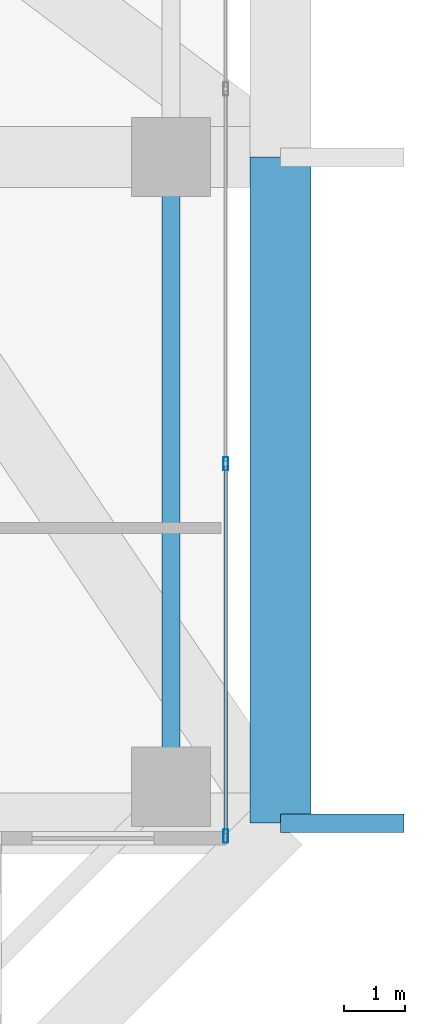
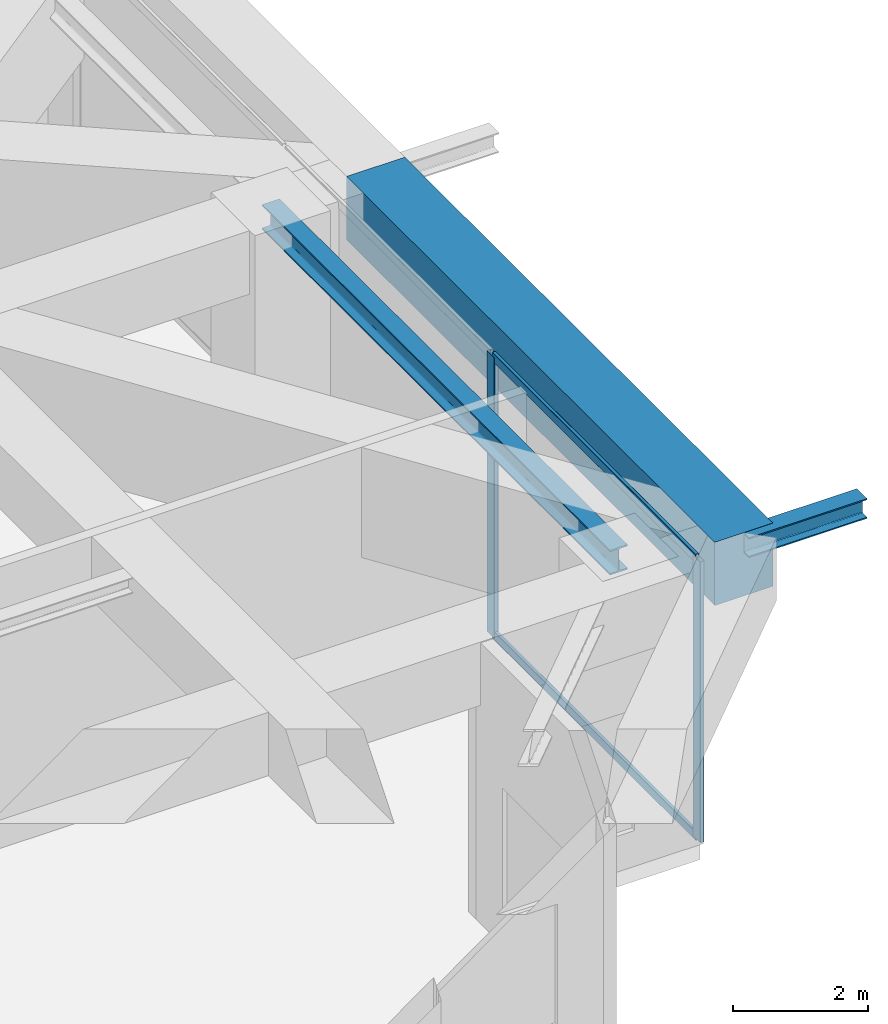
# One storey, part 13 of 38: 4 members, 3 beams, 1 element without a shape of its own.
"""IFC4 building model written with IfcOpenShell, lengths in metres."""

from ifc_helpers import new_model, si_unit, direction, frame, origin, origin_2d, place, context, subcontext, project, spatial, rectangle, hollow_rectangle, i_section, extrude, source, transform, mapped, material, layer, layer_set, material_profile, profile_set, type_object, element, aggregate, save


model = new_model("IFC4")

# Units and contexts
model_context = context("Model", 3, precision=1e-05, world=origin(), true_north=direction((0.0, 1.0)))
body_context = subcontext(model_context, "Body", "Model", "MODEL_VIEW")
ifc_project = project(units=[si_unit("LENGTHUNIT", "METRE"), si_unit("AREAUNIT", "SQUARE_METRE"), si_unit("VOLUMEUNIT", "CUBIC_METRE"), si_unit("PLANEANGLEUNIT", "RADIAN"), si_unit("MASSUNIT", "GRAM", prefix="KILO")], contexts=[model_context])

# Site, building, storey
site_placement = place(None, origin())
site = spatial("IfcSite", under=ifc_project, at=site_placement, CompositionType="ELEMENT")
building_placement = place(site_placement, origin())
building = spatial("IfcBuilding", under=site, at=building_placement, Name="Serunith Strait Residences", CompositionType="ELEMENT")
storey_placement = place(building_placement, frame((0.0, 0.0, 204.89990234375)))
storey = spatial("IfcBuildingStorey", under=building, at=storey_placement, Name="L51", CompositionType="ELEMENT", Elevation=204.89990234375)

# Beams
ifc_material_1 = material(Name="Steel S355J2", Category="steel")
ifc_material_profile_1 = material_profile(ifc_material_1, i_section(OverallWidth=0.300048828125, OverallDepth=0.360107421875, WebThickness=0.012451171875, FlangeThickness=0.0224609375, FilletRadius=0.027099609375, at=origin_2d()), Name="HEB 360")
ifc_profile_set_1 = profile_set([ifc_material_profile_1], Name="Steel S355J2")
beam_type_1 = type_object("IfcBeamType", Name="BM-HEB360", PredefinedType="BEAM", material=ifc_profile_set_1)
shared_shape_1 = source(origin(), body_context, "Body", "SweptSolid", [
    extrude(i_section(OverallWidth=0.300048828125, OverallDepth=0.360107421875, WebThickness=0.012451171875, FlangeThickness=0.0224609375, FilletRadius=0.027099609375, at=origin_2d()), origin(), (0.0, 0.0, 1.0), 2.030029296875),
])
beam_1_placement = place(storey_placement, frame((56.5, 10.050048828125, 4.927001953125), z_axis=(1.0, 0.0, 0.0), x_axis=(0.0, 1.0, 0.0)))
element("IfcBeam", 1, at=beam_1_placement, inside=storey, type_object=beam_type_1, Name="L52 Cantilevered Balcony Rib TC-E1", PredefinedType="BEAM", context=body_context, shape_type="MappedRepresentation", body=[
    mapped(shared_shape_1, transform((0.0, 0.0, 0.0), scale=1.0)),
])
ifc_material_profile_2 = material_profile(ifc_material_1, i_section(OverallWidth=0.300048828125, OverallDepth=0.449951171875, WebThickness=0.013916015625, FlangeThickness=0.02587890625, FilletRadius=0.027099609375, at=origin_2d()), Name="HEB 450")
ifc_profile_set_2 = profile_set([ifc_material_profile_2], Name="Steel S355J2")
beam_type_2 = type_object("IfcBeamType", Name="BM-HEB450", PredefinedType="BEAM", material=ifc_profile_set_2)
shared_shape_2 = source(origin(), body_context, "Body", "SweptSolid", [
    extrude(i_section(OverallWidth=0.300048828125, OverallDepth=0.449951171875, WebThickness=0.013916015625, FlangeThickness=0.02587890625, FilletRadius=0.027099609375, at=origin_2d()), origin(), (0.0, 0.0, 1.0), 10.35009765625),
])
beam_2_placement = place(storey_placement, frame((54.699951171875, 10.64990234375, 4.882080078125), z_axis=(0.0, 1.0, 0.0), x_axis=(-1.0, 0.0, 0.0)))
element("IfcBeam", 2, at=beam_2_placement, inside=storey, type_object=beam_type_2, Name="L51 Perimeter Ring Beam 05", PredefinedType="BEAM", context=body_context, shape_type="MappedRepresentation", body=[
    mapped(shared_shape_2, transform((0.0, 0.0, 0.0), scale=1.0)),
])
ifc_material_2 = material(Name="Concrete C80/95", Category="concrete")
ifc_material_profile_3 = material_profile(ifc_material_2, rectangle(XDim=1.0, YDim=1.14990234375, at=origin_2d()), Name="RC 1000x1150")
ifc_profile_set_3 = profile_set([ifc_material_profile_3], Name="Concrete C80/95")
beam_type_3 = type_object("IfcBeamType", Name="BM-XFER-1000x1150", PredefinedType="BEAM", material=ifc_profile_set_3)
shared_shape_3 = source(origin(), body_context, "Body", "SweptSolid", [
    extrude(rectangle(XDim=1.0, YDim=1.14990234375, at=origin_2d()), origin(), (0.0, 0.0, 1.0), 10.949951171875),
])
beam_3_placement = place(storey_placement, frame((56.5, 10.050048828125, 4.53515625), z_axis=(0.0, 1.0, 0.0), x_axis=(-1.0, 0.0, 0.0)))
element("IfcBeam", 3, at=beam_3_placement, inside=storey, type_object=beam_type_3, Name="L51 Flare Upper Ring Transfer Girder 05", PredefinedType="BEAM", context=body_context, shape_type="MappedRepresentation", body=[
    mapped(shared_shape_3, transform((0.0, 0.0, 0.0), scale=1.0)),
])

# Curtain wall, members
ifc_material_3 = material(Name="Pale-Silver PVDF Aluminium", Category="aluminium")
ifc_layer = layer(ifc_material_3, 0.199951171875, Name="Pale-Silver PVDF Aluminium")
ifc_layer_set = layer_set([ifc_layer], Name="Pale-Silver PVDF Aluminium")
curtain_wall_type = type_object("IfcCurtainWallType", Name="CW-SYS3", PredefinedType="NOTDEFINED", material=ifc_layer_set)
curtain_wall_placement = place(storey_placement, origin())
curtain_wall = element("IfcCurtainWall", 4, at=curtain_wall_placement, inside=storey, type_object=curtain_wall_type, Name="L51 E Unitised Fritted Curtain Wall", PredefinedType="NOTDEFINED")
ifc_material_profile_4 = material_profile(ifc_material_3, hollow_rectangle(XDim=0.074951171875, YDim=0.219970703125, WallThickness=0.00390625, InnerFilletRadius=0.006103515625, OuterFilletRadius=0.010009765625, at=origin_2d()), Name="ALU 220x75x4")
ifc_profile_set_4 = profile_set([ifc_material_profile_4], Name="Pale-Silver PVDF Aluminium")
member_type_1 = type_object("IfcMemberType", Name="CW-SYS3-MULL", PredefinedType="MULLION", material=ifc_profile_set_4)
shared_shape_4 = source(origin(), body_context, "Body", "SweptSolid", [
    extrude(hollow_rectangle(XDim=0.074951171875, YDim=0.219970703125, WallThickness=0.00390625, InnerFilletRadius=0.006103515625, OuterFilletRadius=0.010009765625, at=origin_2d()), origin(), (0.0, 0.0, 1.0), 5.09521484375),
])
member_1_placement = place(storey_placement, frame((55.60009765625, 9.83740234375, 0.0), z_axis=(0.0, 0.0, 1.0), x_axis=(-1.0, 0.0, 0.0)))
member_1 = element("IfcMember", 5, at=member_1_placement, type_object=member_type_1, Name="CW-3 mullion 1", PredefinedType="MULLION", context=body_context, shape_type="MappedRepresentation", body=[
    mapped(shared_shape_4, transform((0.0, 0.0, 0.0), scale=1.0)),
])
member_2_placement = place(storey_placement, frame((55.60009765625, 15.9599609375, 0.0), z_axis=(0.0, 0.0, 1.0), x_axis=(-1.0, 0.0, 0.0)))
member_2 = element("IfcMember", 6, at=member_2_placement, type_object=member_type_1, Name="CW-3 mullion 2", PredefinedType="MULLION", context=body_context, shape_type="MappedRepresentation", body=[
    mapped(shared_shape_4, transform((0.0, 0.0, 0.0), scale=1.0)),
])
ifc_material_profile_5 = material_profile(ifc_material_3, hollow_rectangle(XDim=0.06005859375, YDim=0.159912109375, WallThickness=0.00341796875, InnerFilletRadius=0.00537109375, OuterFilletRadius=0.0087890625, at=origin_2d()), Name="ALU 160x60x3.5")
ifc_profile_set_5 = profile_set([ifc_material_profile_5], Name="Pale-Silver PVDF Aluminium")
member_type_2 = type_object("IfcMemberType", Name="CW-SYS3-TRAN", PredefinedType="USERDEFINED", material=ifc_profile_set_5)
shared_shape_5 = source(origin(), body_context, "Body", "SweptSolid", [
    extrude(hollow_rectangle(XDim=0.06005859375, YDim=0.159912109375, WallThickness=0.00341796875, InnerFilletRadius=0.00537109375, OuterFilletRadius=0.0087890625, at=origin_2d()), origin(), (0.0, 0.0, 1.0), 6.047607421875),
])
member_3_placement = place(storey_placement, frame((55.60009765625, 9.875, 0.030029296875), z_axis=(0.0, 1.0, 0.0), x_axis=(-1.0, 0.0, 0.0)))
member_3 = element("IfcMember", 7, at=member_3_placement, type_object=member_type_2, Name="CW-3 transom 1.1", ObjectType="TRANSOM", PredefinedType="USERDEFINED", context=body_context, shape_type="MappedRepresentation", body=[
    mapped(shared_shape_5, transform((0.0, 0.0, 0.0), scale=1.0)),
])
member_4_placement = place(storey_placement, frame((55.60009765625, 9.875, 5.065185546875), z_axis=(0.0, 1.0, 0.0), x_axis=(-1.0, 0.0, 0.0)))
member_4 = element("IfcMember", 8, at=member_4_placement, type_object=member_type_2, Name="CW-3 transom 1.2", ObjectType="TRANSOM", PredefinedType="USERDEFINED", context=body_context, shape_type="MappedRepresentation", body=[
    mapped(shared_shape_5, transform((0.0, 0.0, 0.0), scale=1.0)),
])
aggregate(curtain_wall, [member_1, member_2, member_3, member_4])

save(model, "model.ifc")
